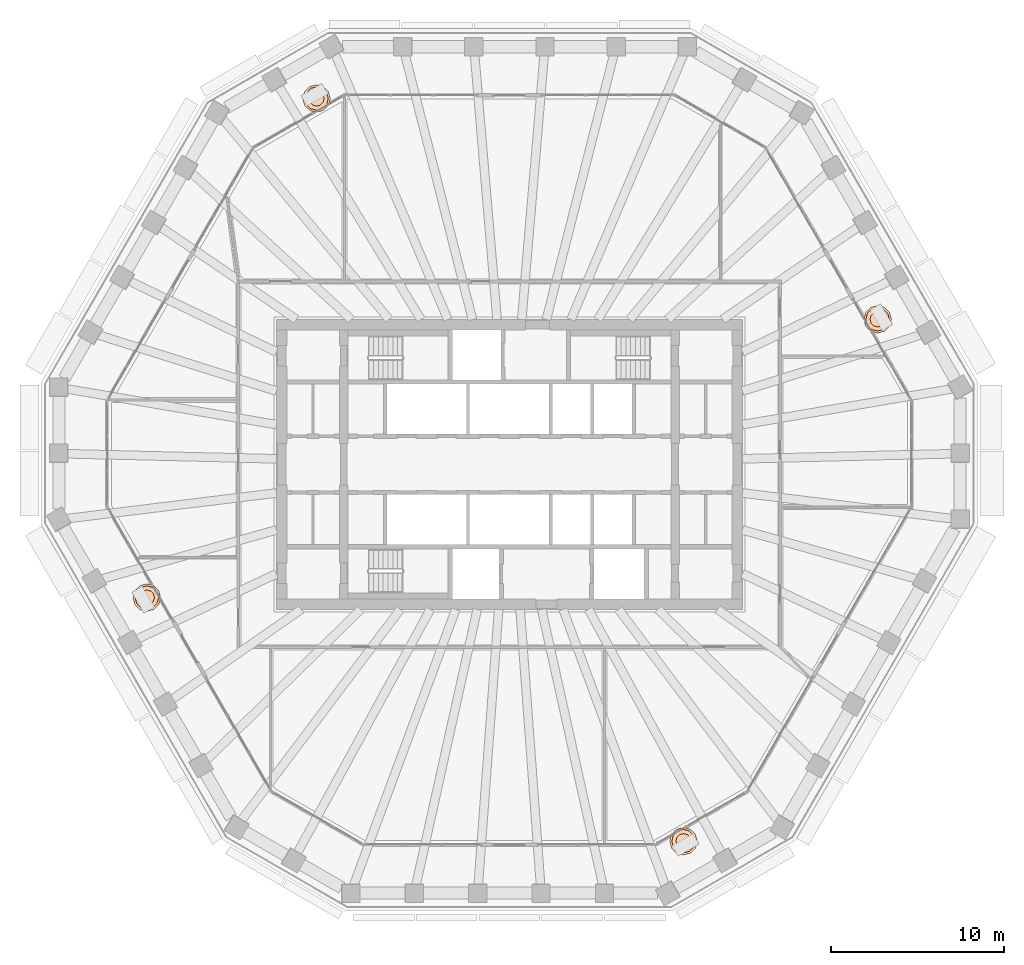
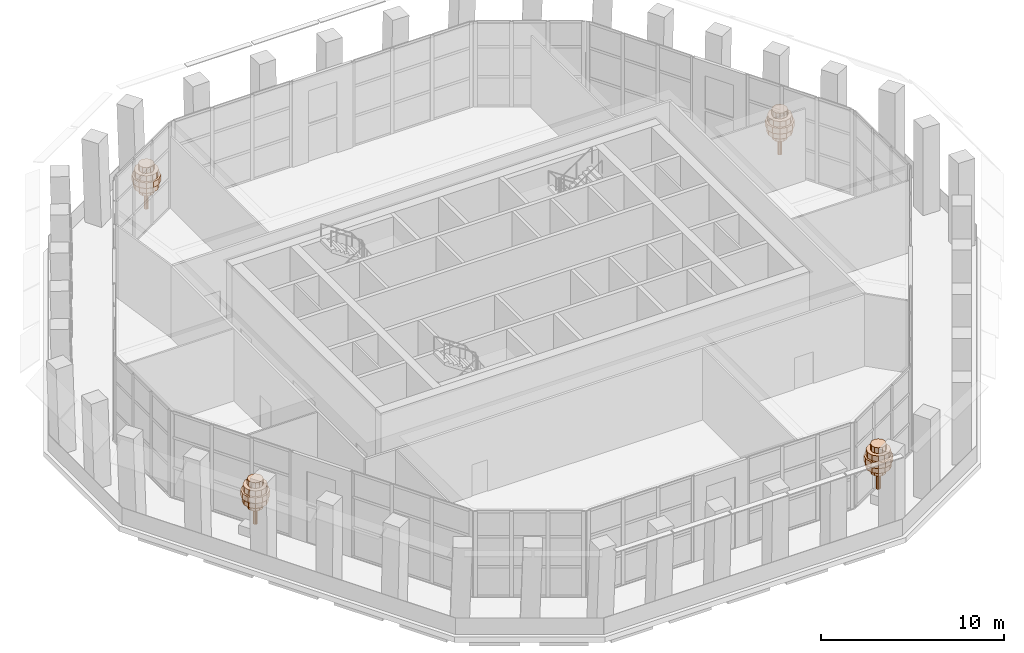
# One storey, part 19 of 19: 4 geographic elements.
"""IFC4 building model written with IfcOpenShell, lengths in metres."""

from ifc_helpers import new_model, si_unit, direction, frame, origin, place, context, subcontext, project, spatial, polyline, outline, extrude, material, type_object, element, save


model = new_model("IFC4")

# Units and contexts
model_context = context("Model", 3, precision=1e-05, world=origin(), true_north=direction((0.0, 1.0)))
body_context = subcontext(model_context, "Body", "Model", "MODEL_VIEW")
ifc_project = project(units=[si_unit("LENGTHUNIT", "METRE"), si_unit("AREAUNIT", "SQUARE_METRE"), si_unit("VOLUMEUNIT", "CUBIC_METRE"), si_unit("PLANEANGLEUNIT", "RADIAN"), si_unit("MASSUNIT", "GRAM", prefix="KILO")], contexts=[model_context])

# Site, building, storey
site_placement = place(None, origin())
site = spatial("IfcSite", under=ifc_project, at=site_placement, CompositionType="ELEMENT")
building_placement = place(site_placement, origin())
building = spatial("IfcBuilding", under=site, at=building_placement, Name="Frailejon Research Tower", CompositionType="ELEMENT")
storey_placement = place(building_placement, frame((0.0, 0.0, 231.39990234375)))
storey = spatial("IfcBuildingStorey", under=building, at=storey_placement, Name="L50", CompositionType="ELEMENT", Elevation=231.39990234375)

# Geographic elements
ifc_material = material(Name="Foliage, green")
geographic_element_type = type_object("IfcGeographicElementType", Name="Frailejon tree, loggia", PredefinedType="USERDEFINED", material=ifc_material)
geographic_element_1_placement = place(storey_placement, frame((21.33349609375, 8.40625, 0.60009765625)))
element("IfcGeographicElement", 1, at=geographic_element_1_placement, inside=storey, type_object=geographic_element_type, Name="Tree L50", ObjectType="TREE", PredefinedType="USERDEFINED", context=body_context, shape_type="SweptSolid", body=[
    extrude(outline(polyline([(0.1298828125, 0.0), (0.112548828125, 0.06494140625), (0.06494140625, 0.112548828125), (0.0, 0.1298828125), (-0.06494140625, 0.112548828125), (-0.112548828125, 0.06494140625), (-0.1298828125, 0.0), (-0.112548828125, -0.06494140625), (-0.06494140625, -0.112548828125), (0.0, -0.1298828125), (0.06494140625, -0.112548828125), (0.112548828125, -0.06494140625), (0.1298828125, 0.0)])), origin(), (0.0, 0.0, 1.0), 2.239990234375),
    extrude(outline(polyline([(0.43994140625, 0.0), (0.381103515625, 0.219970703125), (0.219970703125, 0.381103515625), (0.0, 0.43994140625), (-0.219970703125, 0.381103515625), (-0.381103515625, 0.219970703125), (-0.43994140625, 0.0), (-0.381103515625, -0.219970703125), (-0.219970703125, -0.381103515625), (0.0, -0.43994140625), (0.219970703125, -0.381103515625), (0.381103515625, -0.219970703125), (0.43994140625, 0.0)])), frame((0.0, 0.0, 1.10009765625)), (0.0, 0.0, 1.0), 0.3798828125),
    extrude(outline(polyline([(0.719970703125, 0.0), (0.62353515625, 0.360107421875), (0.360107421875, 0.62353515625), (0.0, 0.719970703125), (-0.360107421875, 0.62353515625), (-0.62353515625, 0.360107421875), (-0.719970703125, 0.0), (-0.62353515625, -0.360107421875), (-0.360107421875, -0.62353515625), (0.0, -0.719970703125), (0.360107421875, -0.62353515625), (0.62353515625, -0.360107421875), (0.719970703125, 0.0)])), frame((0.0, 0.0, 1.47998046875)), (0.0, 0.0, 1.0), 0.3798828125),
    extrude(outline(polyline([(0.800048828125, 0.0), (0.69287109375, 0.39990234375), (0.39990234375, 0.69287109375), (0.0, 0.800048828125), (-0.39990234375, 0.69287109375), (-0.69287109375, 0.39990234375), (-0.800048828125, 0.0), (-0.69287109375, -0.39990234375), (-0.39990234375, -0.69287109375), (0.0, -0.800048828125), (0.39990234375, -0.69287109375), (0.69287109375, -0.39990234375), (0.800048828125, 0.0)])), frame((0.0, 0.0, 1.860107421875)), (0.0, 0.0, 1.0), 0.3798828125),
    extrude(outline(polyline([(0.679931640625, 0.0), (0.5888671875, 0.340087890625), (0.340087890625, 0.5888671875), (0.0, 0.679931640625), (-0.340087890625, 0.5888671875), (-0.5888671875, 0.340087890625), (-0.679931640625, 0.0), (-0.5888671875, -0.340087890625), (-0.340087890625, -0.5888671875), (0.0, -0.679931640625), (0.340087890625, -0.5888671875), (0.5888671875, -0.340087890625), (0.679931640625, 0.0)])), frame((0.0, 0.0, 2.239990234375)), (0.0, 0.0, 1.0), 0.3798828125),
    extrude(outline(polyline([(0.43994140625, 0.0), (0.381103515625, 0.219970703125), (0.219970703125, 0.381103515625), (0.0, 0.43994140625), (-0.219970703125, 0.381103515625), (-0.381103515625, 0.219970703125), (-0.43994140625, 0.0), (-0.381103515625, -0.219970703125), (-0.219970703125, -0.381103515625), (0.0, -0.43994140625), (0.219970703125, -0.381103515625), (0.381103515625, -0.219970703125), (0.43994140625, 0.0)])), frame((0.0, 0.0, 2.6201171875)), (0.0, 0.0, 1.0), 0.3798828125),
])
geographic_element_2_placement = place(storey_placement, frame((-11.17431640625, 21.200439453125, 0.60009765625)))
element("IfcGeographicElement", 2, at=geographic_element_2_placement, inside=storey, type_object=geographic_element_type, Name="Tree L50", ObjectType="TREE", PredefinedType="USERDEFINED", context=body_context, shape_type="SweptSolid", body=[
    extrude(outline(polyline([(0.1298828125, 0.0), (0.112548828125, 0.06494140625), (0.06494140625, 0.112548828125), (0.0, 0.1298828125), (-0.06494140625, 0.112548828125), (-0.112548828125, 0.06494140625), (-0.1298828125, 0.0), (-0.112548828125, -0.06494140625), (-0.06494140625, -0.112548828125), (0.0, -0.1298828125), (0.06494140625, -0.112548828125), (0.112548828125, -0.06494140625), (0.1298828125, 0.0)])), origin(), (0.0, 0.0, 1.0), 2.239990234375),
    extrude(outline(polyline([(0.43994140625, 0.0), (0.381103515625, 0.219970703125), (0.219970703125, 0.381103515625), (0.0, 0.43994140625), (-0.219970703125, 0.381103515625), (-0.381103515625, 0.219970703125), (-0.43994140625, 0.0), (-0.381103515625, -0.219970703125), (-0.219970703125, -0.381103515625), (0.0, -0.43994140625), (0.219970703125, -0.381103515625), (0.381103515625, -0.219970703125), (0.43994140625, 0.0)])), frame((0.0, 0.0, 1.10009765625)), (0.0, 0.0, 1.0), 0.3798828125),
    extrude(outline(polyline([(0.719970703125, 0.0), (0.62353515625, 0.360107421875), (0.360107421875, 0.62353515625), (0.0, 0.719970703125), (-0.360107421875, 0.62353515625), (-0.62353515625, 0.360107421875), (-0.719970703125, 0.0), (-0.62353515625, -0.360107421875), (-0.360107421875, -0.62353515625), (0.0, -0.719970703125), (0.360107421875, -0.62353515625), (0.62353515625, -0.360107421875), (0.719970703125, 0.0)])), frame((0.0, 0.0, 1.47998046875)), (0.0, 0.0, 1.0), 0.3798828125),
    extrude(outline(polyline([(0.800048828125, 0.0), (0.69287109375, 0.39990234375), (0.39990234375, 0.69287109375), (0.0, 0.800048828125), (-0.39990234375, 0.69287109375), (-0.69287109375, 0.39990234375), (-0.800048828125, 0.0), (-0.69287109375, -0.39990234375), (-0.39990234375, -0.69287109375), (0.0, -0.800048828125), (0.39990234375, -0.69287109375), (0.69287109375, -0.39990234375), (0.800048828125, 0.0)])), frame((0.0, 0.0, 1.860107421875)), (0.0, 0.0, 1.0), 0.3798828125),
    extrude(outline(polyline([(0.679931640625, 0.0), (0.5888671875, 0.340087890625), (0.340087890625, 0.5888671875), (0.0, 0.679931640625), (-0.340087890625, 0.5888671875), (-0.5888671875, 0.340087890625), (-0.679931640625, 0.0), (-0.5888671875, -0.340087890625), (-0.340087890625, -0.5888671875), (0.0, -0.679931640625), (0.340087890625, -0.5888671875), (0.5888671875, -0.340087890625), (0.679931640625, 0.0)])), frame((0.0, 0.0, 2.239990234375)), (0.0, 0.0, 1.0), 0.3798828125),
    extrude(outline(polyline([(0.43994140625, 0.0), (0.381103515625, 0.219970703125), (0.219970703125, 0.381103515625), (0.0, 0.43994140625), (-0.219970703125, 0.381103515625), (-0.381103515625, 0.219970703125), (-0.43994140625, 0.0), (-0.381103515625, -0.219970703125), (-0.219970703125, -0.381103515625), (0.0, -0.43994140625), (0.219970703125, -0.381103515625), (0.381103515625, -0.219970703125), (0.43994140625, 0.0)])), frame((0.0, 0.0, 2.6201171875)), (0.0, 0.0, 1.0), 0.3798828125),
])
geographic_element_3_placement = place(storey_placement, frame((-21.007080078125, -7.71484375, 0.60009765625)))
element("IfcGeographicElement", 3, at=geographic_element_3_placement, inside=storey, type_object=geographic_element_type, Name="Tree L50", ObjectType="TREE", PredefinedType="USERDEFINED", context=body_context, shape_type="SweptSolid", body=[
    extrude(outline(polyline([(0.1298828125, 0.0), (0.112548828125, 0.06494140625), (0.06494140625, 0.112548828125), (0.0, 0.1298828125), (-0.06494140625, 0.112548828125), (-0.112548828125, 0.06494140625), (-0.1298828125, 0.0), (-0.112548828125, -0.06494140625), (-0.06494140625, -0.112548828125), (0.0, -0.1298828125), (0.06494140625, -0.112548828125), (0.112548828125, -0.06494140625), (0.1298828125, 0.0)])), origin(), (0.0, 0.0, 1.0), 2.239990234375),
    extrude(outline(polyline([(0.43994140625, 0.0), (0.381103515625, 0.219970703125), (0.219970703125, 0.381103515625), (0.0, 0.43994140625), (-0.219970703125, 0.381103515625), (-0.381103515625, 0.219970703125), (-0.43994140625, 0.0), (-0.381103515625, -0.219970703125), (-0.219970703125, -0.381103515625), (0.0, -0.43994140625), (0.219970703125, -0.381103515625), (0.381103515625, -0.219970703125), (0.43994140625, 0.0)])), frame((0.0, 0.0, 1.10009765625)), (0.0, 0.0, 1.0), 0.3798828125),
    extrude(outline(polyline([(0.719970703125, 0.0), (0.62353515625, 0.360107421875), (0.360107421875, 0.62353515625), (0.0, 0.719970703125), (-0.360107421875, 0.62353515625), (-0.62353515625, 0.360107421875), (-0.719970703125, 0.0), (-0.62353515625, -0.360107421875), (-0.360107421875, -0.62353515625), (0.0, -0.719970703125), (0.360107421875, -0.62353515625), (0.62353515625, -0.360107421875), (0.719970703125, 0.0)])), frame((0.0, 0.0, 1.47998046875)), (0.0, 0.0, 1.0), 0.3798828125),
    extrude(outline(polyline([(0.800048828125, 0.0), (0.69287109375, 0.39990234375), (0.39990234375, 0.69287109375), (0.0, 0.800048828125), (-0.39990234375, 0.69287109375), (-0.69287109375, 0.39990234375), (-0.800048828125, 0.0), (-0.69287109375, -0.39990234375), (-0.39990234375, -0.69287109375), (0.0, -0.800048828125), (0.39990234375, -0.69287109375), (0.69287109375, -0.39990234375), (0.800048828125, 0.0)])), frame((0.0, 0.0, 1.860107421875)), (0.0, 0.0, 1.0), 0.3798828125),
    extrude(outline(polyline([(0.679931640625, 0.0), (0.5888671875, 0.340087890625), (0.340087890625, 0.5888671875), (0.0, 0.679931640625), (-0.340087890625, 0.5888671875), (-0.5888671875, 0.340087890625), (-0.679931640625, 0.0), (-0.5888671875, -0.340087890625), (-0.340087890625, -0.5888671875), (0.0, -0.679931640625), (0.340087890625, -0.5888671875), (0.5888671875, -0.340087890625), (0.679931640625, 0.0)])), frame((0.0, 0.0, 2.239990234375)), (0.0, 0.0, 1.0), 0.3798828125),
    extrude(outline(polyline([(0.43994140625, 0.0), (0.381103515625, 0.219970703125), (0.219970703125, 0.381103515625), (0.0, 0.43994140625), (-0.219970703125, 0.381103515625), (-0.381103515625, 0.219970703125), (-0.43994140625, 0.0), (-0.381103515625, -0.219970703125), (-0.219970703125, -0.381103515625), (0.0, -0.43994140625), (0.219970703125, -0.381103515625), (0.381103515625, -0.219970703125), (0.43994140625, 0.0)])), frame((0.0, 0.0, 2.6201171875)), (0.0, 0.0, 1.0), 0.3798828125),
])
geographic_element_4_placement = place(storey_placement, frame((10.085693359375, -21.8291015625, 0.60009765625)))
element("IfcGeographicElement", 4, at=geographic_element_4_placement, inside=storey, type_object=geographic_element_type, Name="Tree L50", ObjectType="TREE", PredefinedType="USERDEFINED", context=body_context, shape_type="SweptSolid", body=[
    extrude(outline(polyline([(0.1298828125, 0.0), (0.112548828125, 0.06494140625), (0.06494140625, 0.112548828125), (0.0, 0.1298828125), (-0.06494140625, 0.112548828125), (-0.112548828125, 0.06494140625), (-0.1298828125, 0.0), (-0.112548828125, -0.06494140625), (-0.06494140625, -0.112548828125), (0.0, -0.1298828125), (0.06494140625, -0.112548828125), (0.112548828125, -0.06494140625), (0.1298828125, 0.0)])), origin(), (0.0, 0.0, 1.0), 2.239990234375),
    extrude(outline(polyline([(0.43994140625, 0.0), (0.381103515625, 0.219970703125), (0.219970703125, 0.381103515625), (0.0, 0.43994140625), (-0.219970703125, 0.381103515625), (-0.381103515625, 0.219970703125), (-0.43994140625, 0.0), (-0.381103515625, -0.219970703125), (-0.219970703125, -0.381103515625), (0.0, -0.43994140625), (0.219970703125, -0.381103515625), (0.381103515625, -0.219970703125), (0.43994140625, 0.0)])), frame((0.0, 0.0, 1.10009765625)), (0.0, 0.0, 1.0), 0.3798828125),
    extrude(outline(polyline([(0.719970703125, 0.0), (0.62353515625, 0.360107421875), (0.360107421875, 0.62353515625), (0.0, 0.719970703125), (-0.360107421875, 0.62353515625), (-0.62353515625, 0.360107421875), (-0.719970703125, 0.0), (-0.62353515625, -0.360107421875), (-0.360107421875, -0.62353515625), (0.0, -0.719970703125), (0.360107421875, -0.62353515625), (0.62353515625, -0.360107421875), (0.719970703125, 0.0)])), frame((0.0, 0.0, 1.47998046875)), (0.0, 0.0, 1.0), 0.3798828125),
    extrude(outline(polyline([(0.800048828125, 0.0), (0.69287109375, 0.39990234375), (0.39990234375, 0.69287109375), (0.0, 0.800048828125), (-0.39990234375, 0.69287109375), (-0.69287109375, 0.39990234375), (-0.800048828125, 0.0), (-0.69287109375, -0.39990234375), (-0.39990234375, -0.69287109375), (0.0, -0.800048828125), (0.39990234375, -0.69287109375), (0.69287109375, -0.39990234375), (0.800048828125, 0.0)])), frame((0.0, 0.0, 1.860107421875)), (0.0, 0.0, 1.0), 0.3798828125),
    extrude(outline(polyline([(0.679931640625, 0.0), (0.5888671875, 0.340087890625), (0.340087890625, 0.5888671875), (0.0, 0.679931640625), (-0.340087890625, 0.5888671875), (-0.5888671875, 0.340087890625), (-0.679931640625, 0.0), (-0.5888671875, -0.340087890625), (-0.340087890625, -0.5888671875), (0.0, -0.679931640625), (0.340087890625, -0.5888671875), (0.5888671875, -0.340087890625), (0.679931640625, 0.0)])), frame((0.0, 0.0, 2.239990234375)), (0.0, 0.0, 1.0), 0.3798828125),
    extrude(outline(polyline([(0.43994140625, 0.0), (0.381103515625, 0.219970703125), (0.219970703125, 0.381103515625), (0.0, 0.43994140625), (-0.219970703125, 0.381103515625), (-0.381103515625, 0.219970703125), (-0.43994140625, 0.0), (-0.381103515625, -0.219970703125), (-0.219970703125, -0.381103515625), (0.0, -0.43994140625), (0.219970703125, -0.381103515625), (0.381103515625, -0.219970703125), (0.43994140625, 0.0)])), frame((0.0, 0.0, 2.6201171875)), (0.0, 0.0, 1.0), 0.3798828125),
])

save(model, "model.ifc")
